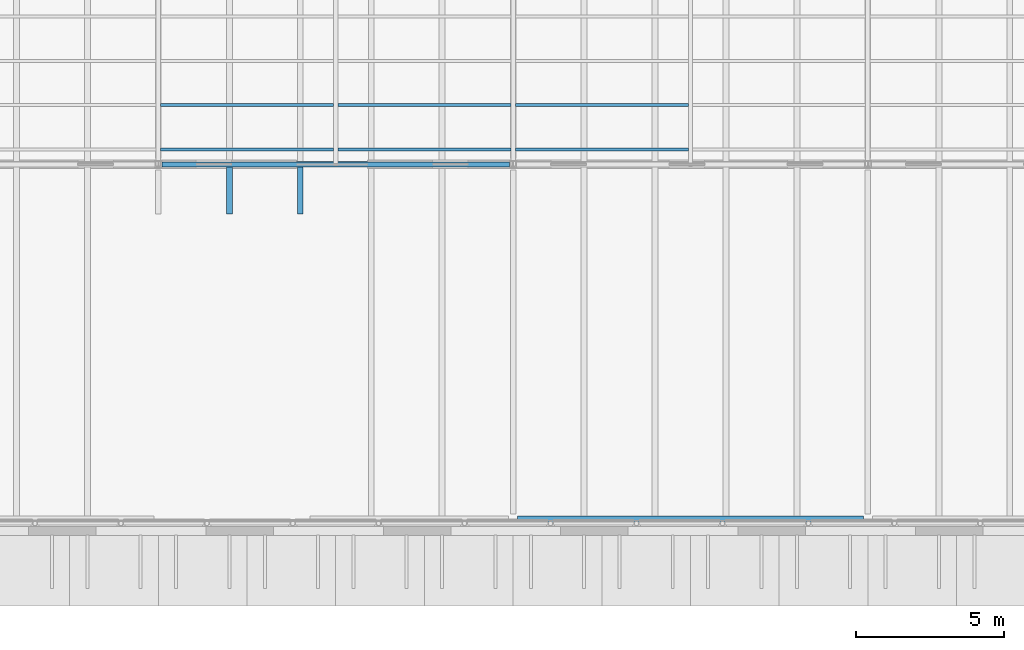
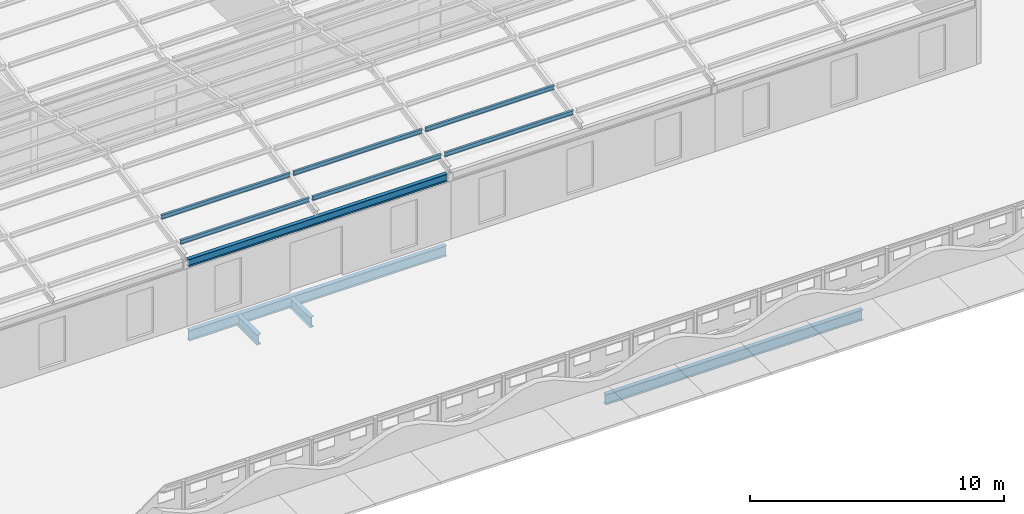
# One storey, part 28 of 91: 6 members, 5 beams.
"""IFC4 building model written with IfcOpenShell, lengths in metres."""

import ifcopenshell
import ifcopenshell.guid

model = None  # the IFC model being written
_history = None  # IfcOwnerHistory: only IFC2X3 demands one
_inside = {}  # id of a spatial element -> (the spatial element, [elements in it])
_under = {}  # id of a project, library or spatial element -> (it, [spatial elements below it])
_declared = {}  # id of a project -> (the project, [libraries it declares])
_typed = {}  # id of a type object -> (the type object, [elements of that type])
_made_of = {}  # id of a material, layer set ... -> (it, [elements and type objects made of it])


def new_model(schema):
    """Start an empty IFC model of exactly this schema.

    Asked for "IFC4X3", IfcOpenShell would pick the latest addendum, in which some entities
    have other attributes; the version numbers below select the first issue.
    IFC2X3 requires an IfcOwnerHistory on every rooted entity: one is made here for all.
    """
    global model, _history
    if schema == "IFC4X3":
        model = ifcopenshell.file(schema_version=(4, 3, 0, 0))
    else:
        model = ifcopenshell.file(schema=schema)
    _inside.clear()
    _under.clear()
    _declared.clear()
    _typed.clear()
    _made_of.clear()
    _history = None
    if model.schema == "IFC2X3":
        org = make("IfcOrganization", Name="unknown")
        user = make(
            "IfcPersonAndOrganization",
            ThePerson=make("IfcPerson", FamilyName="unknown"),
            TheOrganization=org,
        )
        app = make(
            "IfcApplication",
            ApplicationDeveloper=org,
            Version="unknown",
            ApplicationFullName="unknown",
            ApplicationIdentifier="unknown",
        )
        _history = make(
            "IfcOwnerHistory",
            OwningUser=user,
            OwningApplication=app,
            ChangeAction="ADDED",
            CreationDate=0,
        )
    return model


def make(cls, **values):
    """One entity of the class cls with the attributes given. An attribute that is None is left unset."""
    return model.create_entity(
        cls, **{name: value for name, value in values.items() if value is not None}
    )


def rooted(cls, **values):
    """An entity with a GlobalId (a new one), such as an element, a storey or a relation."""
    return make(cls, GlobalId=ifcopenshell.guid.new(), OwnerHistory=_history, **values)


def si_unit(unit_type, name, prefix=None):
    """IfcSIUnit, for example si_unit("LENGTHUNIT", "METRE", prefix="MILLI")."""
    return make("IfcSIUnit", UnitType=unit_type, Prefix=prefix, Name=name)


def assignment(units):
    """IfcUnitAssignment: the units of a project."""
    return None if units is None else make("IfcUnitAssignment", Units=units)


def point(xyz):
    """IfcCartesianPoint."""
    return None if xyz is None else make("IfcCartesianPoint", Coordinates=xyz)


def direction(xyz):
    """IfcDirection."""
    return None if xyz is None else make("IfcDirection", DirectionRatios=xyz)


def frame(location, z_axis=None, x_axis=None):
    """IfcAxis2Placement3D, a coordinate frame: its origin and axes. An axis left out is left unset."""
    return make(
        "IfcAxis2Placement3D",
        Location=point(location),
        Axis=direction(z_axis),
        RefDirection=direction(x_axis),
    )


def frame_2d(location, x_axis=None):
    """IfcAxis2Placement2D, a coordinate frame in the plane: its origin and x axis."""
    return make(
        "IfcAxis2Placement2D", Location=point(location), RefDirection=direction(x_axis)
    )


def origin():
    """The frame at (0, 0, 0) with its axes left unset."""
    return frame((0.0, 0.0, 0.0))


def origin_2d():
    """The frame at (0, 0) in the plane with its x axis left unset."""
    return frame_2d((0.0, 0.0))


def place(relative_to, where):
    """IfcLocalPlacement: puts the frame where relative to a parent placement (None: the world)."""
    return make(
        "IfcLocalPlacement", PlacementRelTo=relative_to, RelativePlacement=where
    )


def context(
    kind, dimensions, precision=None, world=None, true_north=None, identifier=None
):
    """IfcGeometricRepresentationContext, for example the 3D "Model" context."""
    return make(
        "IfcGeometricRepresentationContext",
        ContextIdentifier=identifier,
        ContextType=kind,
        CoordinateSpaceDimension=dimensions,
        Precision=precision,
        WorldCoordinateSystem=world,
        TrueNorth=true_north,
    )


def subcontext(parent, identifier, kind, view, scale=None):
    """IfcGeometricRepresentationSubContext, for example "Body" below "Model"."""
    return make(
        "IfcGeometricRepresentationSubContext",
        ContextIdentifier=identifier,
        ContextType=kind,
        ParentContext=parent,
        TargetScale=scale,
        TargetView=view,
    )


def project(units=None, contexts=None):
    """IfcProject with its units and contexts."""
    return rooted(
        "IfcProject",
        Name="project",
        RepresentationContexts=contexts,
        UnitsInContext=assignment(units),
    )


def spatial(cls, under=None, at=None, **own):
    """A site, building, storey or space (cls), placed at a placement, below another one or the project."""
    s = rooted(cls, ObjectPlacement=at, **own)
    if under is not None:
        _under.setdefault(under.id(), (under, []))[1].append(s)
    return s


def profile(cls, at=None, kind="AREA", **sizes):
    """A parametric profile (cls). Its sizes go by their IFC names, for example OverallWidth=200.0."""
    return make(cls, ProfileType=kind, Position=at, **sizes)


def i_section(**sizes):
    """IfcIShapeProfileDef."""
    return profile("IfcIShapeProfileDef", **sizes)


def extrude(swept, where, along, depth):
    """IfcExtrudedAreaSolid: the profile swept, set in the frame where, extruded along a direction by depth."""
    return make(
        "IfcExtrudedAreaSolid",
        SweptArea=swept,
        Position=where,
        ExtrudedDirection=direction(along),
        Depth=depth,
    )


def shape(context_of_items, identifier, shape_type, items):
    """IfcShapeRepresentation: the items that make up one representation, for example the "Body"."""
    return make(
        "IfcShapeRepresentation",
        ContextOfItems=context_of_items,
        RepresentationIdentifier=identifier,
        RepresentationType=shape_type,
        Items=items,
    )


def material(Name=None, Category=None):
    """IfcMaterial."""
    return make("IfcMaterial", Name=Name, Category=Category)


def material_profile(
    of_material, cross_section, Name=None, Category=None, Priority=None
):
    """IfcMaterialProfile: a cross section and its material."""
    return make(
        "IfcMaterialProfile",
        Name=Name,
        Material=of_material,
        Profile=cross_section,
        Priority=Priority,
        Category=Category,
    )


def profile_set(profiles, Name=None, composite=None):
    """IfcMaterialProfileSet."""
    return make(
        "IfcMaterialProfileSet",
        Name=Name,
        MaterialProfiles=profiles,
        CompositeProfile=composite,
    )


def made_of(thing, what):
    """Note that an element or type object is made of a material, layer set ...; save() writes the relation."""
    if what is not None:
        _made_of.setdefault(what.id(), (what, []))[1].append(thing)
    return thing


def type_object(cls, material=None, **own):
    """A type object (cls), such as IfcWallType, which elements share."""
    return made_of(rooted(cls, **own), material)


def element(
    cls,
    number,
    at=None,
    inside=None,
    cuts=None,
    type_object=None,
    material=None,
    context=None,
    identifier="Body",
    shape_type=None,
    held_by="IfcProductDefinitionShape",
    body=None,
    shapes=None,
    **own,
):
    """One element of the class cls, such as IfcWall. Its Tag is "e" and its number.

    at: its placement. inside: the storey or other place that contains it. cuts: it is an
    opening in that element (IfcRelVoidsElement). A single representation is given by context,
    identifier, shape_type and body (its items); several are given by shapes. held_by: the class
    of the entity that holds the representations. save() writes the other relations.
    """
    e = rooted(cls, Tag="e%d" % number, ObjectPlacement=at, **own)
    if body is not None:
        shapes = [shape(context, identifier, shape_type, body)]
    if shapes is not None:
        e.Representation = make(held_by, Representations=shapes)
    if inside is not None:
        _inside.setdefault(inside.id(), (inside, []))[1].append(e)
    if cuts is not None:
        rooted(
            "IfcRelVoidsElement", RelatingBuildingElement=cuts, RelatedOpeningElement=e
        )
    if type_object is not None:
        _typed.setdefault(type_object.id(), (type_object, []))[1].append(e)
    return made_of(e, material)


def aggregate(whole, parts):
    """IfcRelAggregates: a whole, such as a stair, and the parts it consists of."""
    return rooted("IfcRelAggregates", RelatingObject=whole, RelatedObjects=parts)


def save(model, path):
    """Write the relations noted so far, then the file.

    IfcRelAggregates (storeys below a building ...), IfcRelContainedInSpatialStructure (elements
    in a storey), IfcRelDefinesByType, IfcRelAssociatesMaterial and IfcRelDeclares: one each for
    every whole, place, type object, material and project.
    """
    for whole, parts in _under.values():
        aggregate(whole, parts)
    for where, things in _inside.values():
        rooted(
            "IfcRelContainedInSpatialStructure",
            RelatedElements=things,
            RelatingStructure=where,
        )
    for kind, things in _typed.values():
        rooted("IfcRelDefinesByType", RelatedObjects=things, RelatingType=kind)
    for what, things in _made_of.values():
        rooted("IfcRelAssociatesMaterial", RelatedObjects=things, RelatingMaterial=what)
    for by, libraries in _declared.values():
        rooted("IfcRelDeclares", RelatingContext=by, RelatedDefinitions=libraries)
    model.write(path)


model = new_model("IFC4")

# Units and contexts
model_context = context("Model", 3, precision=1e-05, world=origin(), true_north=direction((0.0, 1.0)))
body_context = subcontext(model_context, "Body", "Model", "MODEL_VIEW")
ifc_project = project(units=[si_unit("LENGTHUNIT", "METRE"), si_unit("AREAUNIT", "SQUARE_METRE"), si_unit("VOLUMEUNIT", "CUBIC_METRE"), si_unit("PLANEANGLEUNIT", "RADIAN"), si_unit("MASSUNIT", "GRAM", prefix="KILO")], contexts=[model_context])

# Site, building, storey
site_placement = place(None, origin())
site = spatial("IfcSite", under=ifc_project, at=site_placement, CompositionType="ELEMENT")
building_placement = place(site_placement, origin())
building = spatial("IfcBuilding", under=site, at=building_placement, Name="Ravi Spectrum Wholesale Market", CompositionType="ELEMENT")
storey_placement = place(building_placement, frame((0.0, 0.0, 16.199951171875)))
storey = spatial("IfcBuildingStorey", under=building, at=storey_placement, Name="ROOF PLANT LEVEL", CompositionType="ELEMENT", Elevation=16.199951171875)

# Members
ifc_material_1 = material(Name="Steel S355", Category="steel")
ifc_material_profile_1 = material_profile(ifc_material_1, i_section(OverallWidth=0.10009765625, OverallDepth=0.199951171875, WebThickness=0.005615234375, FlangeThickness=0.008544921875, at=origin_2d()))
ifc_profile_set_1 = profile_set([ifc_material_profile_1], Name="Steel S355")
member_type = type_object("IfcMemberType", Name="IPE 200 purlin", PredefinedType="PURLIN", material=ifc_profile_set_1)
for number, where, z_axis, x_axis, name in (
    (1, (234.074951171875, 30.5, 3.684814453125), (1.0, 0.0, 0.0), (0.0, 1.0, 0.0), "CS-MB-ROOF-429"),
    (2, (234.074951171875, 32.0, 3.976318359375), (1.0, 0.0, 0.0), (0.0, 1.0, 0.0), "CS-MB-ROOF-430"),
    (3, (240.074951171875, 30.5, 3.684814453125), (1.0, 0.0, 0.0), (0.0, 1.0, 0.0), "CS-MB-ROOF-447"),
    (4, (240.074951171875, 32.0, 3.976318359375), (1.0, 0.0, 0.0), (0.0, 1.0, 0.0), "CS-MB-ROOF-448"),
    (5, (246.074951171875, 30.5, 3.684814453125), (1.0, 0.0, 0.0), (0.0, 1.0, 0.0), "CS-MB-ROOF-465"),
    (6, (246.074951171875, 32.0, 3.976318359375), (1.0, 0.0, 0.0), (0.0, 1.0, 0.0), "CS-MB-ROOF-466"),
):
    element("IfcMember", number, at=place(storey_placement, frame(where, z_axis=z_axis, x_axis=x_axis)), inside=storey, type_object=member_type, Name=name, PredefinedType="PURLIN", context=body_context, shape_type="SweptSolid", body=[
        extrude(i_section(OverallWidth=0.10009765625, OverallDepth=0.199951171875, WebThickness=0.005615234375, FlangeThickness=0.008544921875, at=origin_2d()), origin(), (0.0, 0.0, 1.0), 5.85009765625),
    ])

# Beams
ifc_material_2 = material(Name="Steel S355", Category="steel")
ifc_material_profile_2 = material_profile(ifc_material_2, i_section(OverallWidth=0.169921875, OverallDepth=0.360107421875, WebThickness=0.008056640625, FlangeThickness=0.0126953125, at=origin_2d()))
ifc_profile_set_2 = profile_set([ifc_material_profile_2], Name="Steel S355")
beam_type_1 = type_object("IfcBeamType", Name="IPE 360 beam", PredefinedType="BEAM", material=ifc_profile_set_2)
beam_placement = place(storey_placement, frame((234.1201171875, 30.0, 2.9921875), z_axis=(1.0, 0.0, 0.0), x_axis=(0.0, 1.0, 0.0)))
element("IfcBeam", 7, at=beam_placement, inside=storey, type_object=beam_type_1, Name="CS-BM-ROOF-183", PredefinedType="BEAM", context=body_context, shape_type="SweptSolid", body=[
    extrude(i_section(OverallWidth=0.169921875, OverallDepth=0.360107421875, WebThickness=0.008056640625, FlangeThickness=0.0126953125, at=origin_2d()), origin(), (0.0, 0.0, 1.0), 11.759765625),
])
ifc_material_3 = material(Name="Steel S355", Category="steel")
ifc_material_profile_3 = material_profile(ifc_material_3, i_section(OverallWidth=0.199951171875, OverallDepth=0.5, WebThickness=0.01025390625, FlangeThickness=0.01611328125, at=origin_2d()))
ifc_profile_set_3 = profile_set([ifc_material_profile_3], Name="Steel S355")
beam_type_2 = type_object("IfcBeamType", Name="IPE 500 beam", PredefinedType="BEAM", material=ifc_profile_set_3)
for number, where, z_axis, x_axis, name in (
    (8, (246.14990234375, 18.0, -0.5), (1.0, 0.0, 0.0), (0.0, 1.0, 0.0), "CS-BM-ROOF-005"),
    (9, (234.14990234375, 30.0, -0.5), (1.0, 0.0, 0.0), (0.0, 1.0, 0.0), "CS-BM-ROOF-011"),
):
    element("IfcBeam", number, at=place(storey_placement, frame(where, z_axis=z_axis, x_axis=x_axis)), inside=storey, type_object=beam_type_2, Name=name, PredefinedType="BEAM", context=body_context, shape_type="SweptSolid", body=[
        extrude(i_section(OverallWidth=0.199951171875, OverallDepth=0.5, WebThickness=0.01025390625, FlangeThickness=0.01611328125, at=origin_2d()), origin(), (0.0, 0.0, 1.0), 11.7001953125),
    ])
for number, where, z_axis, x_axis, name in (
    (10, (236.39990234375, 28.324951171875, -0.5), (0.0, 1.0, 0.0), (-1.0, 0.0, 0.0), "CS-BM-ROOF-116"),
    (11, (238.800048828125, 28.324951171875, -0.5), (0.0, 1.0, 0.0), (-1.0, 0.0, 0.0), "CS-BM-ROOF-117"),
):
    element("IfcBeam", number, at=place(storey_placement, frame(where, z_axis=z_axis, x_axis=x_axis)), inside=storey, type_object=beam_type_2, Name=name, PredefinedType="BEAM", context=body_context, shape_type="SweptSolid", body=[
        extrude(i_section(OverallWidth=0.199951171875, OverallDepth=0.5, WebThickness=0.01025390625, FlangeThickness=0.01611328125, at=origin_2d()), origin(), (0.0, 0.0, 1.0), 1.574951171875),
    ])

save(model, "model.ifc")
